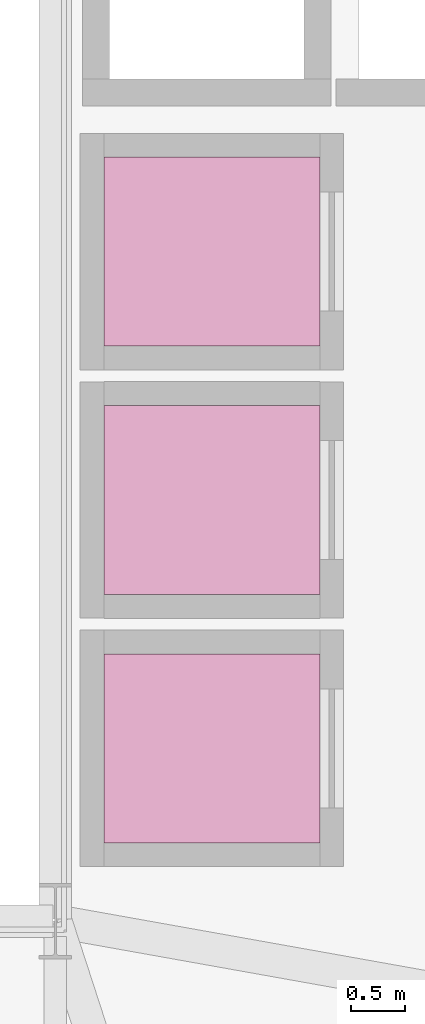
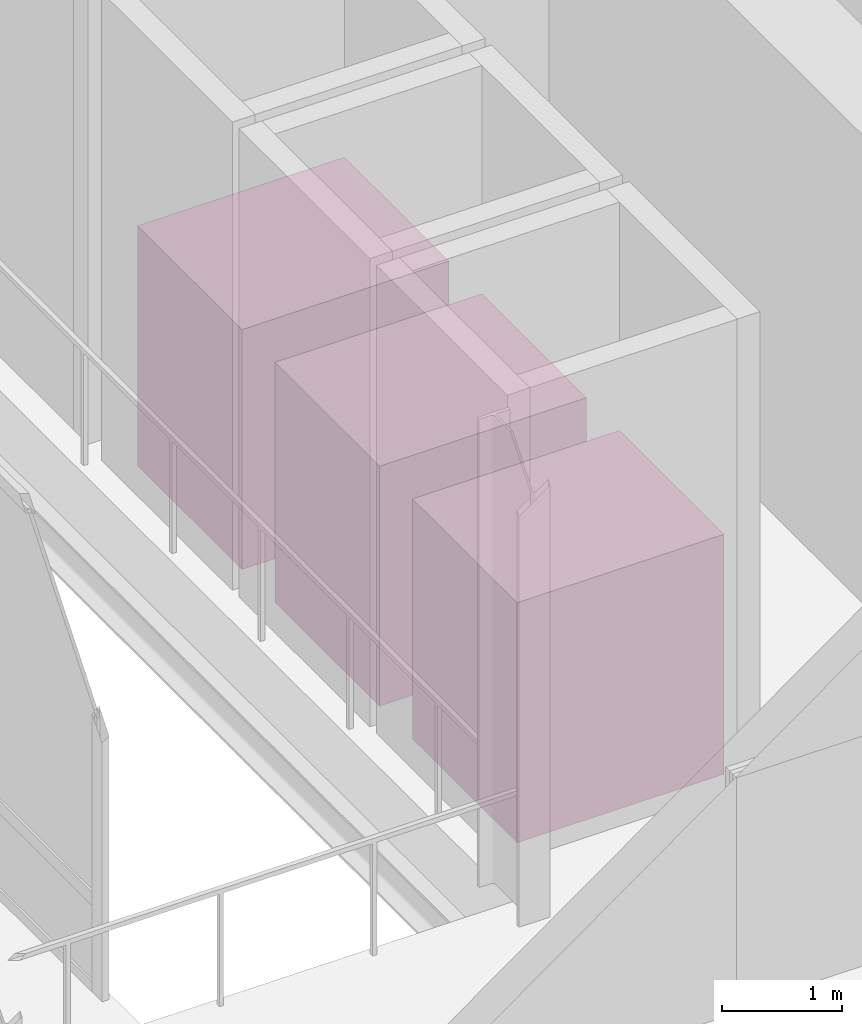
# One storey, part 14 of 14: 3 transport elements.
"""IFC4 building model written with IfcOpenShell, lengths in metres."""

from ifc_helpers import new_model, si_unit, direction, frame, origin, origin_2d, place, context, subcontext, project, spatial, rectangle, extrude, source, transform, mapped, material, type_object, element, save


model = new_model("IFC4")

# Units and contexts
model_context = context("Model", 3, precision=1e-05, world=origin(), true_north=direction((0.0, 1.0)))
body_context = subcontext(model_context, "Body", "Model", "MODEL_VIEW")
ifc_project = project(units=[si_unit("LENGTHUNIT", "METRE"), si_unit("AREAUNIT", "SQUARE_METRE"), si_unit("VOLUMEUNIT", "CUBIC_METRE"), si_unit("PLANEANGLEUNIT", "RADIAN"), si_unit("MASSUNIT", "GRAM", prefix="KILO")], contexts=[model_context])

# Site, building, storey
site_placement = place(None, origin())
site = spatial("IfcSite", under=ifc_project, at=site_placement, CompositionType="ELEMENT")
building_placement = place(site_placement, origin())
building = spatial("IfcBuilding", under=site, at=building_placement, Name="Vardaveli Station Tower", CompositionType="ELEMENT")
storey_placement = place(building_placement, frame((0.0, 0.0, 172.199951171875)))
storey = spatial("IfcBuildingStorey", under=building, at=storey_placement, Name="L44", CompositionType="ELEMENT", Elevation=172.199951171875)

# Transport elements
ifc_material = material(Name="Brushed stainless steel elevator cab", Category="steel")
transport_element_type = type_object("IfcTransportElementType", Name="LIFT-PASS-1600", PredefinedType="ELEVATOR", material=ifc_material)
shared_shape = source(origin(), body_context, "Body", "SweptSolid", [
    extrude(rectangle(XDim=2.0, YDim=1.75, at=origin_2d()), origin(), (0.0, 0.0, 1.0), 2.449951171875),
])
for number, where, z_axis, x_axis, name in (
    (1, (42.85009765625, 22.800048828125, 0.0), (0.0, 0.0, 1.0), (1.0, 0.0, 0.0), "Lift HL3-01"),
    (2, (42.85009765625, 20.5, 0.0), (0.0, 0.0, 1.0), (1.0, 0.0, 0.0), "Lift HL3-02"),
    (3, (42.85009765625, 18.199951171875, 0.0), (0.0, 0.0, 1.0), (1.0, 0.0, 0.0), "Lift HL3-03"),
):
    element("IfcTransportElement", number, at=place(storey_placement, frame(where, z_axis=z_axis, x_axis=x_axis)), inside=storey, type_object=transport_element_type, Name=name, PredefinedType="ELEVATOR", context=body_context, shape_type="MappedRepresentation", body=[
        mapped(shared_shape, transform((0.0, 0.0, 0.0), scale=1.0)),
    ])

save(model, "model.ifc")
